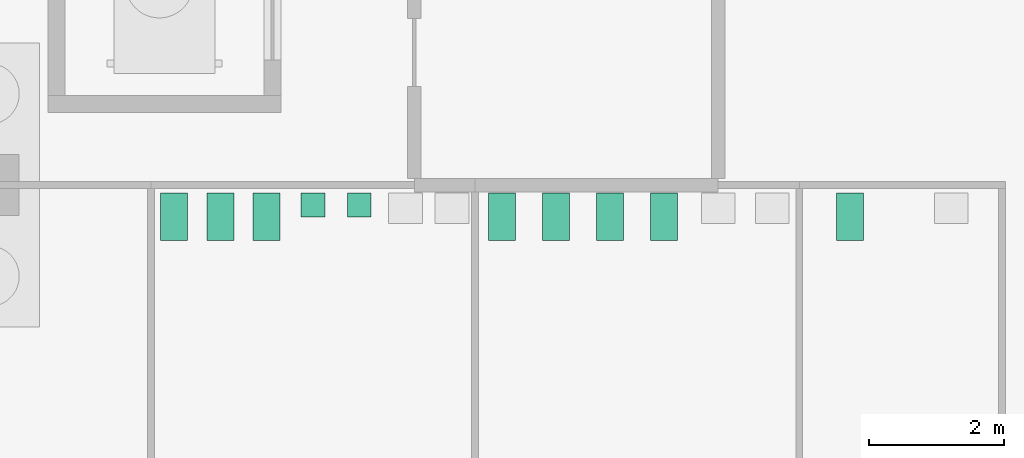
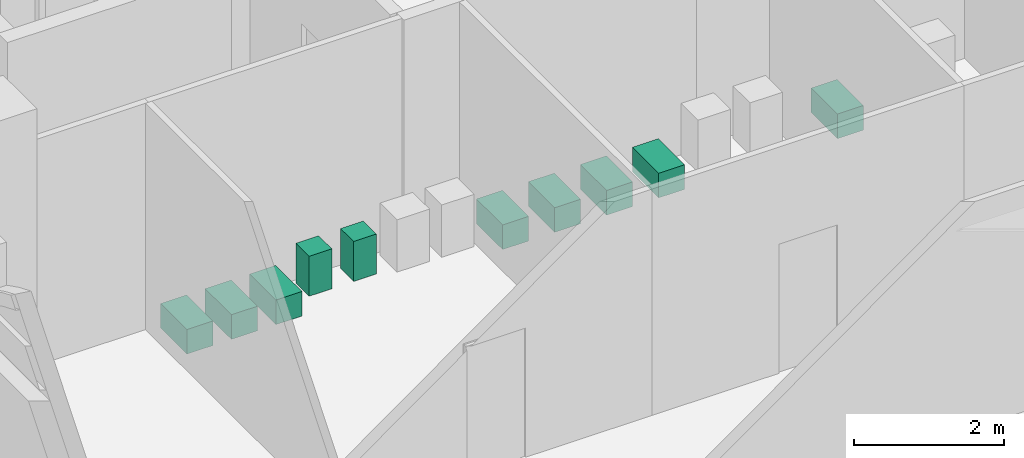
# One storey, part 97 of 99: 10 sanitary terminals.
"""IFC4 building model written with IfcOpenShell, lengths in metres."""

from ifc_helpers import new_model, si_unit, direction, frame, origin, origin_2d, place, context, subcontext, project, spatial, rectangle, extrude, material, type_object, element, save


model = new_model("IFC4")

# Units and contexts
model_context = context("Model", 3, precision=1e-05, world=origin(), true_north=direction((0.0, 1.0)))
body_context = subcontext(model_context, "Body", "Model", "MODEL_VIEW")
ifc_project = project(units=[si_unit("LENGTHUNIT", "METRE"), si_unit("AREAUNIT", "SQUARE_METRE"), si_unit("VOLUMEUNIT", "CUBIC_METRE"), si_unit("PLANEANGLEUNIT", "RADIAN"), si_unit("MASSUNIT", "GRAM", prefix="KILO")], contexts=[model_context])

# Site, building, storey
site_placement = place(None, origin())
site = spatial("IfcSite", under=ifc_project, at=site_placement, CompositionType="ELEMENT")
building_placement = place(site_placement, origin())
building = spatial("IfcBuilding", under=site, at=building_placement, Name="Cour d'Honneur Mobility Palace", CompositionType="ELEMENT")
storey_placement = place(building_placement, origin())
storey = spatial("IfcBuildingStorey", under=building, at=storey_placement, Name="L00", CompositionType="ELEMENT", Elevation=0.0)

# Sanitary terminals
ifc_material_1 = material(Name="Vitreous china")
sanitary_terminal_type_1 = type_object("IfcSanitaryTerminalType", Name="Urinal", PredefinedType="URINAL", material=ifc_material_1)
for number, where, z_axis, x_axis, name in (
    (1, (4.800048828125, 107.10498046875, 0.0), (0.0, 0.0, 1.0), (1.0, 0.0, 0.0), "Urinal WC Men West"),
    (2, (5.485595703125, 107.10498046875, 0.0), (0.0, 0.0, 1.0), (1.0, 0.0, 0.0), "Urinal WC Men West"),
):
    element("IfcSanitaryTerminal", number, at=place(storey_placement, frame(where, z_axis=z_axis, x_axis=x_axis)), inside=storey, type_object=sanitary_terminal_type_1, Name=name, PredefinedType="URINAL", context=body_context, shape_type="SweptSolid", body=[
        extrude(rectangle(XDim=0.35009765625, YDim=0.35009765625, at=origin_2d()), origin(), (0.0, 0.0, 1.0), 0.64990234375),
    ])
ifc_material_2 = material(Name="Vitreous china")
sanitary_terminal_type_2 = type_object("IfcSanitaryTerminalType", Name="Water closet", PredefinedType="WCSEAT", material=ifc_material_2)
for number, where, z_axis, x_axis, name in (
    (3, (2.742919921875, 106.929931640625, 0.0), (0.0, 0.0, 1.0), (1.0, 0.0, 0.0), "Water closet WC Men West"),
    (4, (3.4287109375, 106.929931640625, 0.0), (0.0, 0.0, 1.0), (1.0, 0.0, 0.0), "Water closet WC Men West"),
    (5, (4.1142578125, 106.929931640625, 0.0), (0.0, 0.0, 1.0), (1.0, 0.0, 0.0), "Water closet WC Men West"),
    (6, (7.60009765625, 106.929931640625, 0.0), (0.0, 0.0, 1.0), (1.0, 0.0, 0.0), "Water closet WC Women West"),
    (7, (8.39990234375, 106.929931640625, 0.0), (0.0, 0.0, 1.0), (1.0, 0.0, 0.0), "Water closet WC Women West"),
    (8, (9.199951171875, 106.929931640625, 0.0), (0.0, 0.0, 1.0), (1.0, 0.0, 0.0), "Water closet WC Women West"),
    (9, (10.0, 106.929931640625, 0.0), (0.0, 0.0, 1.0), (1.0, 0.0, 0.0), "Water closet WC Women West"),
    (10, (12.75, 106.929931640625, 0.0), (0.0, 0.0, 1.0), (1.0, 0.0, 0.0), "Water closet Accessible WC West"),
):
    element("IfcSanitaryTerminal", number, at=place(storey_placement, frame(where, z_axis=z_axis, x_axis=x_axis)), inside=storey, type_object=sanitary_terminal_type_2, Name=name, PredefinedType="WCSEAT", context=body_context, shape_type="SweptSolid", body=[
        extrude(rectangle(XDim=0.39990234375, YDim=0.699951171875, at=origin_2d()), origin(), (0.0, 0.0, 1.0), 0.39990234375),
    ])

save(model, "model.ifc")
